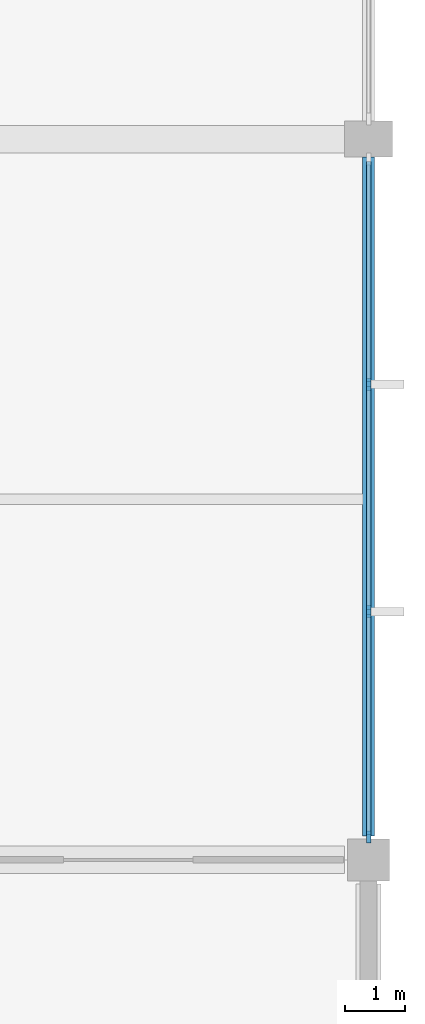
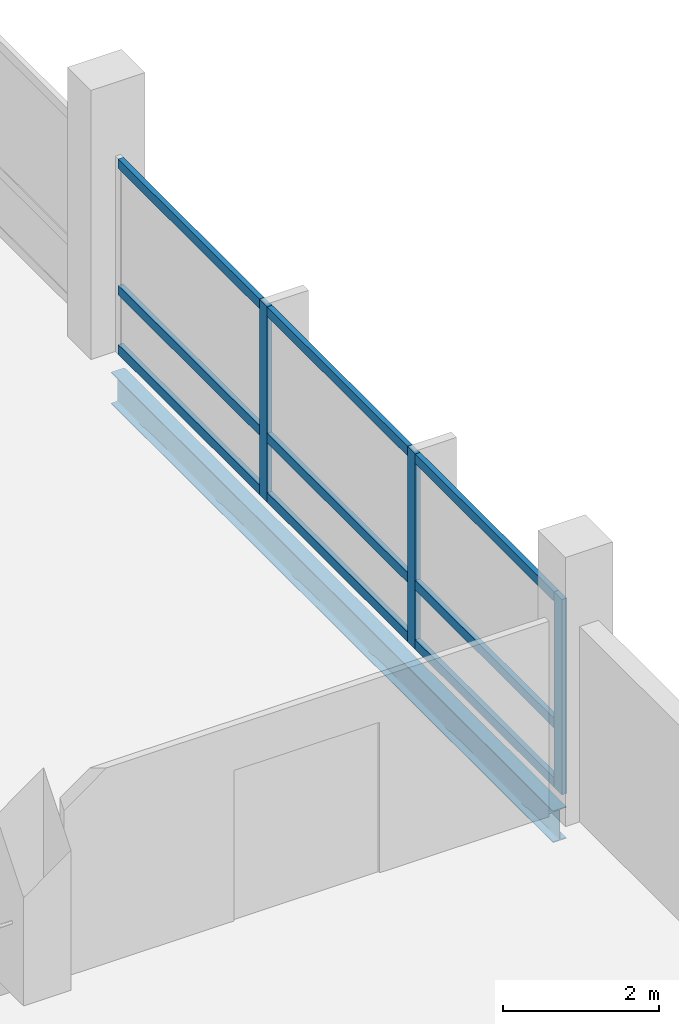
# One storey, part 25 of 57: 12 members, 1 beam, 1 element without a shape of its own.
"""IFC4 building model written with IfcOpenShell, lengths in metres."""

from ifc_helpers import new_model, si_unit, direction, frame, origin, origin_2d, place, context, subcontext, project, spatial, rectangle, i_section, extrude, material, material_profile, profile_set, type_object, element, aggregate, save


model = new_model("IFC4")

# Units and contexts
model_context = context("Model", 3, precision=1e-05, world=origin(), true_north=direction((0.0, 1.0)))
body_context = subcontext(model_context, "Body", "Model", "MODEL_VIEW")
ifc_project = project(units=[si_unit("LENGTHUNIT", "METRE"), si_unit("AREAUNIT", "SQUARE_METRE"), si_unit("VOLUMEUNIT", "CUBIC_METRE"), si_unit("PLANEANGLEUNIT", "RADIAN"), si_unit("MASSUNIT", "GRAM", prefix="KILO"), si_unit("THERMODYNAMICTEMPERATUREUNIT", "KELVIN"), si_unit("POWERUNIT", "WATT")], contexts=[model_context])

# Site, building, storey
site_placement = place(None, origin())
site = spatial("IfcSite", under=ifc_project, at=site_placement, CompositionType="ELEMENT")
building_placement = place(site_placement, origin())
building = spatial("IfcBuilding", under=site, at=building_placement, Name="Kronsvod Quay Wholesale Market", CompositionType="ELEMENT")
storey_placement = place(building_placement, frame((0.0, 0.0, 4.800048828125)))
storey = spatial("IfcBuildingStorey", under=building, at=storey_placement, Name="L01", CompositionType="ELEMENT", Elevation=4.800048828125)

# Beam
ifc_material_1 = material(Name="Steel S355", Category="steel")
ifc_material_profile_1 = material_profile(ifc_material_1, i_section(OverallWidth=0.198974609375, OverallDepth=0.49609375, WebThickness=0.009033203125, FlangeThickness=0.013916015625, FilletRadius=0.02001953125, at=origin_2d()), Name="50B1")
ifc_profile_set_1 = profile_set([ifc_material_profile_1], Name="Steel S355")
beam_type = type_object("IfcBeamType", Name="Girder_Steel50B1", PredefinedType="T_BEAM", material=ifc_profile_set_1)
beam_placement = place(storey_placement, frame((192.0, 54.39990234375, -0.548095703125), z_axis=(0.0, 1.0, 0.0), x_axis=(-1.0, 0.0, 0.0)))
element("IfcBeam", 1, at=beam_placement, inside=storey, type_object=beam_type, Name="BMY-L01-1920-540", PredefinedType="T_BEAM", context=body_context, shape_type="SweptSolid", body=[
    extrude(i_section(OverallWidth=0.198974609375, OverallDepth=0.49609375, WebThickness=0.009033203125, FlangeThickness=0.013916015625, FilletRadius=0.02001953125, at=origin_2d()), origin(), (0.0, 0.0, 1.0), 11.300048828125),
])

# Curtain wall, members
ifc_material_2 = material(Name="Thermally broken aluminium and triple low-E glazing", Category="aluminium")
curtain_wall_type = type_object("IfcCurtainWallType", Name="CW_Flower120x32", PredefinedType="NOTDEFINED", material=ifc_material_2)
curtain_wall_placement = place(storey_placement, origin())
curtain_wall = element("IfcCurtainWall", 2, at=curtain_wall_placement, inside=storey, type_object=curtain_wall_type, Name="CWGY-L01-1920-540", PredefinedType="NOTDEFINED")
ifc_material_3 = material(Name="Anodised aluminium", Category="aluminium")
ifc_material_profile_2 = material_profile(ifc_material_3, rectangle(XDim=0.074951171875, YDim=0.199951171875, at=origin_2d()), Name="ALUM75x200")
ifc_profile_set_2 = profile_set([ifc_material_profile_2], Name="Anodised aluminium")
member_type_1 = type_object("IfcMemberType", Name="Mullion_ALU75x200", PredefinedType="MULLION", material=ifc_profile_set_2)
member_1_placement = place(storey_placement, frame((192.0, 54.382568359375, 0.0), z_axis=(0.0, 0.0, 1.0), x_axis=(1.0, 0.0, 0.0)))
member_1 = element("IfcMember", 3, at=member_1_placement, type_object=member_type_1, Name="CWGY-L01-1920-540-M1", PredefinedType="MULLION", context=body_context, shape_type="SweptSolid", body=[
    extrude(rectangle(XDim=0.074951171875, YDim=0.199951171875, at=origin_2d()), origin(), (0.0, 0.0, 1.0), 3.050048828125),
])
member_2_placement = place(storey_placement, frame((192.0, 58.131591796875, 0.0), z_axis=(0.0, 0.0, 1.0), x_axis=(1.0, 0.0, 0.0)))
member_2 = element("IfcMember", 4, at=member_2_placement, type_object=member_type_1, Name="CWGY-L01-1920-540-M2", PredefinedType="MULLION", context=body_context, shape_type="SweptSolid", body=[
    extrude(rectangle(XDim=0.074951171875, YDim=0.199951171875, at=origin_2d()), origin(), (0.0, 0.0, 1.0), 3.050048828125),
])
member_3_placement = place(storey_placement, frame((192.0, 61.918212890625, 0.0), z_axis=(0.0, 0.0, 1.0), x_axis=(1.0, 0.0, 0.0)))
member_3 = element("IfcMember", 5, at=member_3_placement, type_object=member_type_1, Name="CWGY-L01-1920-540-M3", PredefinedType="MULLION", context=body_context, shape_type="SweptSolid", body=[
    extrude(rectangle(XDim=0.074951171875, YDim=0.199951171875, at=origin_2d()), origin(), (0.0, 0.0, 1.0), 3.050048828125),
])
ifc_material_4 = material(Name="Anodised aluminium", Category="aluminium")
ifc_material_profile_3 = material_profile(ifc_material_4, rectangle(XDim=0.074951171875, YDim=0.14990234375, at=origin_2d()), Name="ALUT75x150")
ifc_profile_set_3 = profile_set([ifc_material_profile_3], Name="Anodised aluminium")
member_type_2 = type_object("IfcMemberType", Name="Transom_ALU75x150", PredefinedType="USERDEFINED", material=ifc_profile_set_3)
member_4_placement = place(storey_placement, frame((192.0, 54.419921875, 0.074951171875), z_axis=(0.0, 1.0, 0.0), x_axis=(-1.0, 0.0, 0.0)))
member_4 = element("IfcMember", 6, at=member_4_placement, type_object=member_type_2, Name="CWGY-L01-1920-540-T1B1", ObjectType="TRANSOM", PredefinedType="USERDEFINED", context=body_context, shape_type="SweptSolid", body=[
    extrude(rectangle(XDim=0.074951171875, YDim=0.14990234375, at=origin_2d()), origin(), (0.0, 0.0, 1.0), 3.67431640625),
])
member_5_placement = place(storey_placement, frame((192.0, 58.169189453125, 0.074951171875), z_axis=(0.0, 1.0, 0.0), x_axis=(-1.0, 0.0, 0.0)))
member_5 = element("IfcMember", 7, at=member_5_placement, type_object=member_type_2, Name="CWGY-L01-1920-540-T1B2", ObjectType="TRANSOM", PredefinedType="USERDEFINED", context=body_context, shape_type="SweptSolid", body=[
    extrude(rectangle(XDim=0.074951171875, YDim=0.14990234375, at=origin_2d()), origin(), (0.0, 0.0, 1.0), 3.711669921875),
])
member_6_placement = place(storey_placement, frame((192.0, 61.955810546875, 0.074951171875), z_axis=(0.0, 1.0, 0.0), x_axis=(-1.0, 0.0, 0.0)))
member_6 = element("IfcMember", 8, at=member_6_placement, type_object=member_type_2, Name="CWGY-L01-1920-540-T1B3", ObjectType="TRANSOM", PredefinedType="USERDEFINED", context=body_context, shape_type="SweptSolid", body=[
    extrude(rectangle(XDim=0.074951171875, YDim=0.14990234375, at=origin_2d()), origin(), (0.0, 0.0, 1.0), 3.674072265625),
])
member_7_placement = place(storey_placement, frame((192.0, 54.419921875, 1.0), z_axis=(0.0, 1.0, 0.0), x_axis=(-1.0, 0.0, 0.0)))
member_7 = element("IfcMember", 9, at=member_7_placement, type_object=member_type_2, Name="CWGY-L01-1920-540-T2B1", ObjectType="TRANSOM", PredefinedType="USERDEFINED", context=body_context, shape_type="SweptSolid", body=[
    extrude(rectangle(XDim=0.074951171875, YDim=0.14990234375, at=origin_2d()), origin(), (0.0, 0.0, 1.0), 3.67431640625),
])
member_8_placement = place(storey_placement, frame((192.0, 58.169189453125, 1.0), z_axis=(0.0, 1.0, 0.0), x_axis=(-1.0, 0.0, 0.0)))
member_8 = element("IfcMember", 10, at=member_8_placement, type_object=member_type_2, Name="CWGY-L01-1920-540-T2B2", ObjectType="TRANSOM", PredefinedType="USERDEFINED", context=body_context, shape_type="SweptSolid", body=[
    extrude(rectangle(XDim=0.074951171875, YDim=0.14990234375, at=origin_2d()), origin(), (0.0, 0.0, 1.0), 3.711669921875),
])
member_9_placement = place(storey_placement, frame((192.0, 61.955810546875, 1.0), z_axis=(0.0, 1.0, 0.0), x_axis=(-1.0, 0.0, 0.0)))
member_9 = element("IfcMember", 11, at=member_9_placement, type_object=member_type_2, Name="CWGY-L01-1920-540-T2B3", ObjectType="TRANSOM", PredefinedType="USERDEFINED", context=body_context, shape_type="SweptSolid", body=[
    extrude(rectangle(XDim=0.074951171875, YDim=0.14990234375, at=origin_2d()), origin(), (0.0, 0.0, 1.0), 3.674072265625),
])
member_10_placement = place(storey_placement, frame((192.0, 54.419921875, 2.974853515625), z_axis=(0.0, 1.0, 0.0), x_axis=(-1.0, 0.0, 0.0)))
member_10 = element("IfcMember", 12, at=member_10_placement, type_object=member_type_2, Name="CWGY-L01-1920-540-T3B1", ObjectType="TRANSOM", PredefinedType="USERDEFINED", context=body_context, shape_type="SweptSolid", body=[
    extrude(rectangle(XDim=0.074951171875, YDim=0.14990234375, at=origin_2d()), origin(), (0.0, 0.0, 1.0), 3.67431640625),
])
member_11_placement = place(storey_placement, frame((192.0, 58.169189453125, 2.974853515625), z_axis=(0.0, 1.0, 0.0), x_axis=(-1.0, 0.0, 0.0)))
member_11 = element("IfcMember", 13, at=member_11_placement, type_object=member_type_2, Name="CWGY-L01-1920-540-T3B2", ObjectType="TRANSOM", PredefinedType="USERDEFINED", context=body_context, shape_type="SweptSolid", body=[
    extrude(rectangle(XDim=0.074951171875, YDim=0.14990234375, at=origin_2d()), origin(), (0.0, 0.0, 1.0), 3.711669921875),
])
member_12_placement = place(storey_placement, frame((192.0, 61.955810546875, 2.974853515625), z_axis=(0.0, 1.0, 0.0), x_axis=(-1.0, 0.0, 0.0)))
member_12 = element("IfcMember", 14, at=member_12_placement, type_object=member_type_2, Name="CWGY-L01-1920-540-T3B3", ObjectType="TRANSOM", PredefinedType="USERDEFINED", context=body_context, shape_type="SweptSolid", body=[
    extrude(rectangle(XDim=0.074951171875, YDim=0.14990234375, at=origin_2d()), origin(), (0.0, 0.0, 1.0), 3.674072265625),
])
aggregate(curtain_wall, [member_1, member_2, member_3, member_4, member_5, member_6, member_7, member_8, member_9, member_10, member_11, member_12])

save(model, "model.ifc")
